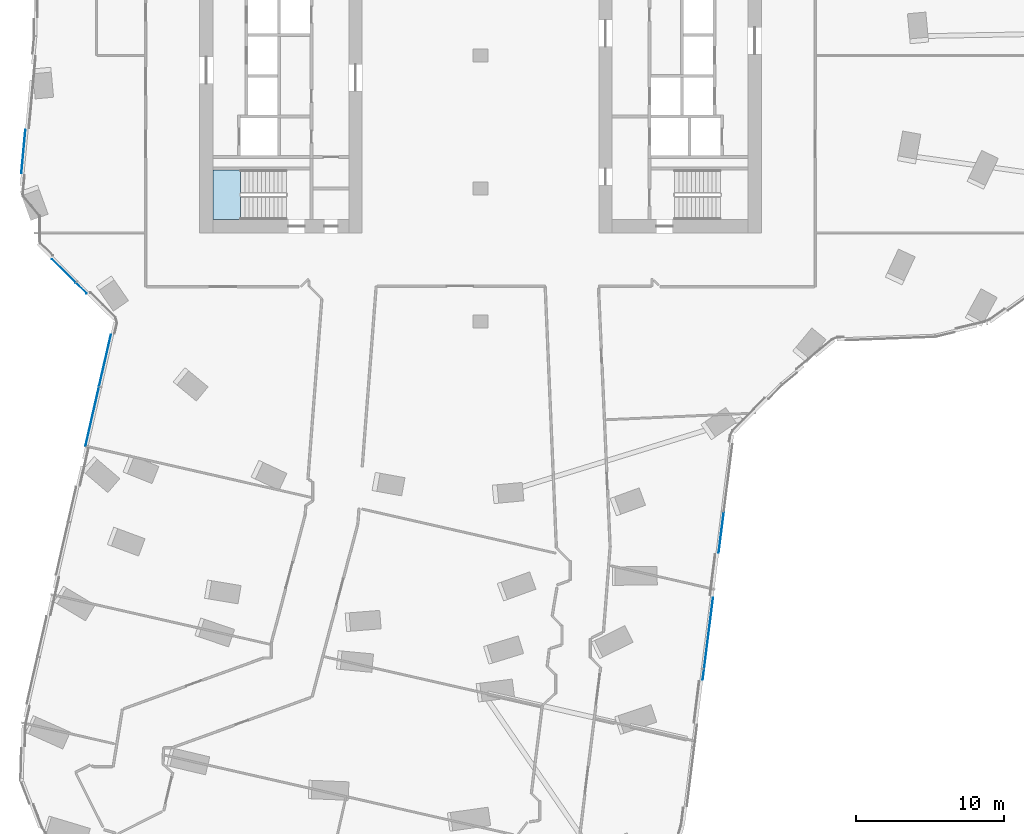
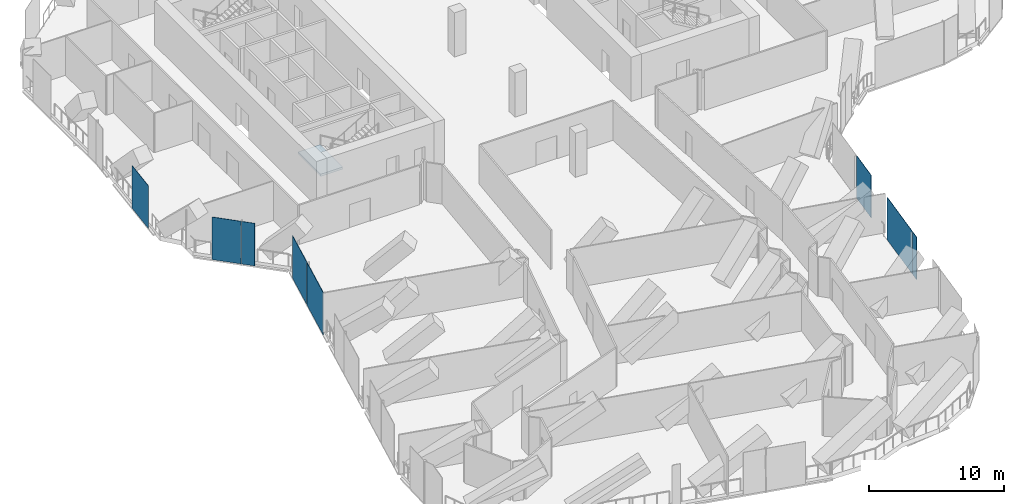
# One storey, part 15 of 29: 8 plates, 1 slab, 5 elements without a shape of their own.
"""IFC4 building model written with IfcOpenShell, lengths in metres."""

from ifc_helpers import new_model, si_unit, direction, frame, origin, origin_2d, place, context, subcontext, project, spatial, polyline, rectangle, outline, extrude, material, layer, layer_set, type_object, element, aggregate, save


model = new_model("IFC4")

# Units and contexts
model_context = context("Model", 3, precision=1e-05, world=origin(), true_north=direction((0.0, 1.0)))
body_context = subcontext(model_context, "Body", "Model", "MODEL_VIEW")
ifc_project = project(units=[si_unit("LENGTHUNIT", "METRE"), si_unit("AREAUNIT", "SQUARE_METRE"), si_unit("VOLUMEUNIT", "CUBIC_METRE"), si_unit("PLANEANGLEUNIT", "RADIAN"), si_unit("MASSUNIT", "GRAM", prefix="KILO")], contexts=[model_context])

# Site, building, storey
site_placement = place(None, origin())
site = spatial("IfcSite", under=ifc_project, at=site_placement, CompositionType="ELEMENT")
building_placement = place(site_placement, origin())
building = spatial("IfcBuilding", under=site, at=building_placement, Name="Orlundy Tower", CompositionType="ELEMENT")
storey_placement = place(building_placement, frame((0.0, 0.0, 184.60009765625)))
storey = spatial("IfcBuildingStorey", under=building, at=storey_placement, Name="L48", CompositionType="ELEMENT", Elevation=184.60009765625)

# Curtain wall, plate
ifc_material_1 = material(Name="Aluminium bronze anodised", Category="aluminium")
curtain_wall_type = type_object("IfcCurtainWallType", Name="CW5 wall", PredefinedType="NOTDEFINED", material=ifc_material_1)
curtain_wall_1_placement = place(storey_placement, origin())
curtain_wall_1 = element("IfcCurtainWall", 1, at=curtain_wall_1_placement, inside=storey, type_object=curtain_wall_type, Name="CW5 run 00", PredefinedType="NOTDEFINED")
ifc_material_2 = material(Name="Tinted glass", Category="glass")
ifc_layer_1 = layer(ifc_material_2, 0.031982421875)
ifc_layer_set_1 = layer_set([ifc_layer_1], Name="CW5 glass panel 32")
plate_type_1 = type_object("IfcPlateType", Name="CW5 glass panel 32", PredefinedType="CURTAIN_PANEL", material=ifc_layer_set_1)
plate_1_placement = place(storey_placement, frame((-28.197265625, -14.5693359375, -0.2802734375), z_axis=(0.0, 0.0, 1.0), x_axis=(-0.711222779774, 0.702966683087, 0.0)))
plate_1 = element("IfcPlate", 2, at=plate_1_placement, type_object=plate_type_1, Name="CW5 panel", PredefinedType="CURTAIN_PANEL", context=body_context, shape_type="SweptSolid", body=[
    extrude(rectangle(XDim=2.2314453125, YDim=0.031982421875, at=origin_2d()), origin(), (0.0, 0.0, 1.0), 3.860107421875),
])

curtain_wall_2_placement = place(storey_placement, origin())
curtain_wall_2 = element("IfcCurtainWall", 3, at=curtain_wall_2_placement, inside=storey, type_object=curtain_wall_type, Name="CW5 run 03", PredefinedType="NOTDEFINED")
plate_2_placement = place(storey_placement, frame((-30.921630859375, -6.49755859375, -0.2802734375), z_axis=(0.0, 0.0, 1.0), x_axis=(0.092958448423, 0.995669988936, 0.0)))
plate_2 = element("IfcPlate", 4, at=plate_2_placement, type_object=plate_type_1, Name="CW5 panel", PredefinedType="CURTAIN_PANEL", context=body_context, shape_type="SweptSolid", body=[
    extrude(rectangle(XDim=2.92919921875, YDim=0.031982421875, at=origin_2d()), origin(), (0.0, 0.0, 1.0), 3.860107421875),
])
aggregate(curtain_wall_2, [plate_2])

# Curtain wall, plates
curtain_wall_3_placement = place(storey_placement, origin())
curtain_wall_3 = element("IfcCurtainWall", 5, at=curtain_wall_3_placement, inside=storey, type_object=curtain_wall_type, Name="CW5 run 032", PredefinedType="NOTDEFINED")
plate_3_placement = place(storey_placement, frame((15.42919921875, -39.07666015625, -0.2802734375), z_axis=(0.0, 0.0, 1.0), x_axis=(-0.124742379758, -0.992189164773, 0.0)))
plate_3 = element("IfcPlate", 6, at=plate_3_placement, type_object=plate_type_1, Name="CW5 panel", PredefinedType="CURTAIN_PANEL", context=body_context, shape_type="SweptSolid", body=[
    extrude(rectangle(XDim=4.829345703125, YDim=0.031982421875, at=origin_2d()), origin(), (0.0, 0.0, 1.0), 3.860107421875),
])
plate_4_placement = place(storey_placement, frame((15.0771484375, -41.876953125, -0.2802734375), z_axis=(0.0, 0.0, 1.0), x_axis=(-0.124742379758, -0.992189164773, 0.0)))
plate_4 = element("IfcPlate", 7, at=plate_4_placement, type_object=plate_type_1, Name="CW5 panel", PredefinedType="CURTAIN_PANEL", context=body_context, shape_type="SweptSolid", body=[
    extrude(rectangle(XDim=0.71533203125, YDim=0.031982421875, at=origin_2d()), origin(), (0.0, 0.0, 1.0), 3.860107421875),
])

curtain_wall_4_placement = place(storey_placement, origin())
curtain_wall_4 = element("IfcCurtainWall", 8, at=curtain_wall_4_placement, inside=storey, type_object=curtain_wall_type, Name="CW5 run 044", PredefinedType="NOTDEFINED")
plate_5_placement = place(storey_placement, frame((-26.263427734375, -24.41552734375, -0.2802734375), z_axis=(0.0, 0.0, 1.0), x_axis=(0.222088577386, 0.975026493894, 0.0)))
plate_5 = element("IfcPlate", 9, at=plate_5_placement, type_object=plate_type_1, Name="CW5 panel", PredefinedType="CURTAIN_PANEL", context=body_context, shape_type="SweptSolid", body=[
    extrude(rectangle(XDim=4.071044921875, YDim=0.031982421875, at=origin_2d()), origin(), (0.0, 0.0, 1.0), 3.860107421875),
])
plate_6_placement = place(storey_placement, frame((-25.402587890625, -20.63671875, -0.2802734375), z_axis=(0.0, 0.0, 1.0), x_axis=(0.222088577386, 0.975026493894, 0.0)))
plate_6 = element("IfcPlate", 10, at=plate_6_placement, type_object=plate_type_1, Name="CW5 panel", PredefinedType="CURTAIN_PANEL", context=body_context, shape_type="SweptSolid", body=[
    extrude(rectangle(XDim=3.580322265625, YDim=0.031982421875, at=origin_2d()), origin(), (0.0, 0.0, 1.0), 3.860107421875),
])
aggregate(curtain_wall_4, [plate_5, plate_6])

# Plate
ifc_material_3 = material(Name="Tinted glass", Category="glass")
ifc_layer_2 = layer(ifc_material_3, 0.031982421875)
ifc_layer_set_2 = layer_set([ifc_layer_2], Name="CW5 vent panel 32")
plate_type_2 = type_object("IfcPlateType", Name="CW5 vent panel 32", PredefinedType="CURTAIN_PANEL", material=ifc_layer_set_2)
plate_7_placement = place(storey_placement, frame((-27.006591796875, -15.74609375, -0.2802734375), z_axis=(0.0, 0.0, 1.0), x_axis=(-0.711222779774, 0.702966683087, 0.0)))
plate_7 = element("IfcPlate", 11, at=plate_7_placement, type_object=plate_type_2, Name="CW5 panel", PredefinedType="CURTAIN_PANEL", context=body_context, shape_type="SweptSolid", body=[
    extrude(rectangle(XDim=1.016357421875, YDim=0.031982421875, at=origin_2d()), origin(), (0.0, 0.0, 1.0), 3.860107421875),
])

aggregate(curtain_wall_1, [plate_7, plate_1])

plate_8_placement = place(storey_placement, frame((16.285400390625, -32.267822265625, -0.2802734375), z_axis=(0.0, 0.0, 1.0), x_axis=(-0.124742379758, -0.992189164773, 0.0)))
plate_8 = element("IfcPlate", 12, at=plate_8_placement, type_object=plate_type_2, Name="CW5 panel", PredefinedType="CURTAIN_PANEL", context=body_context, shape_type="SweptSolid", body=[
    extrude(rectangle(XDim=2.7724609375, YDim=0.031982421875, at=origin_2d()), origin(), (0.0, 0.0, 1.0), 3.860107421875),
])

aggregate(curtain_wall_3, [plate_8, plate_3, plate_4])

# Stair, slab
ifc_material_4 = material(Name="Concrete C50/60", Category="concrete")
stair_type = type_object("IfcStairType", Name="Exit Stair 24 risers", PredefinedType="HALF_TURN_STAIR", material=ifc_material_4)
stair_placement = place(storey_placement, origin())
stair = element("IfcStair", 13, at=stair_placement, inside=storey, type_object=stair_type, Name="L48 Exit Stair ST-W2", PredefinedType="HALF_TURN_STAIR")
ifc_material_5 = material(Name="Concrete C50/60", Category="concrete")
ifc_layer_3 = layer(ifc_material_5, 0.199951171875)
ifc_layer_set_3 = layer_set([ifc_layer_3], Name="Exit Stair Landing")
slab_type = type_object("IfcSlabType", Name="Exit Stair Landing", PredefinedType="LANDING", material=ifc_layer_set_3)
slab_placement = place(storey_placement, frame((0.0, 0.0, 1.7998046875)))
slab = element("IfcSlab", 14, at=slab_placement, type_object=slab_type, Name="ST-W2 landing 1", PredefinedType="LANDING", context=body_context, shape_type="SweptSolid", body=[
    extrude(outline(polyline([(-16.219970703125, -7.75), (-18.10009765625, -7.75), (-18.10009765625, -11.10009765625), (-16.219970703125, -11.10009765625), (-16.219970703125, -7.75)])), origin(), (0.0, 0.0, 1.0), 0.2001953125),
])
aggregate(stair, [slab])

save(model, "model.ifc")
